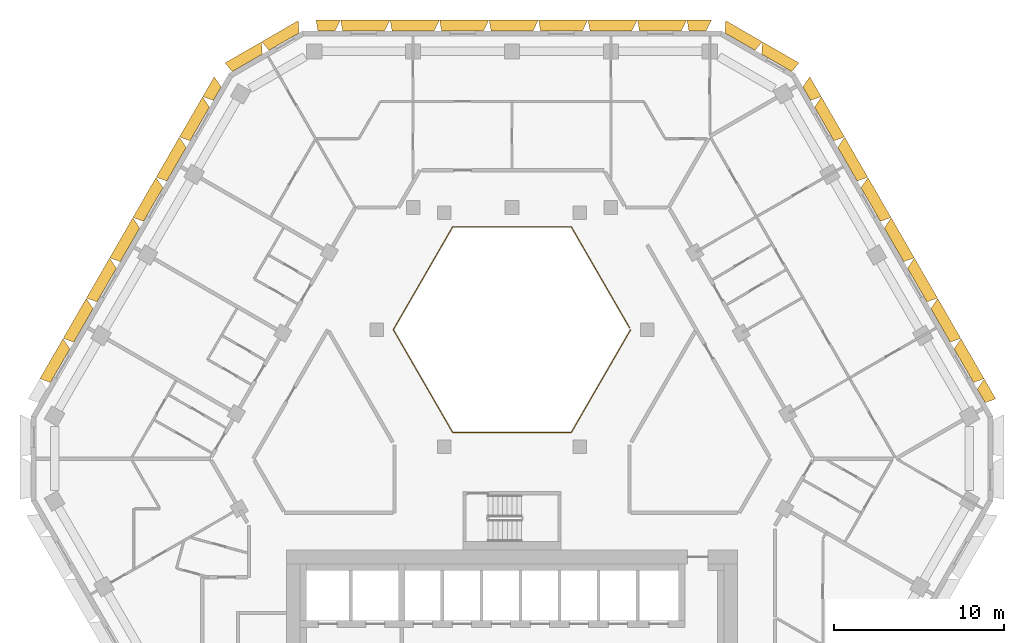
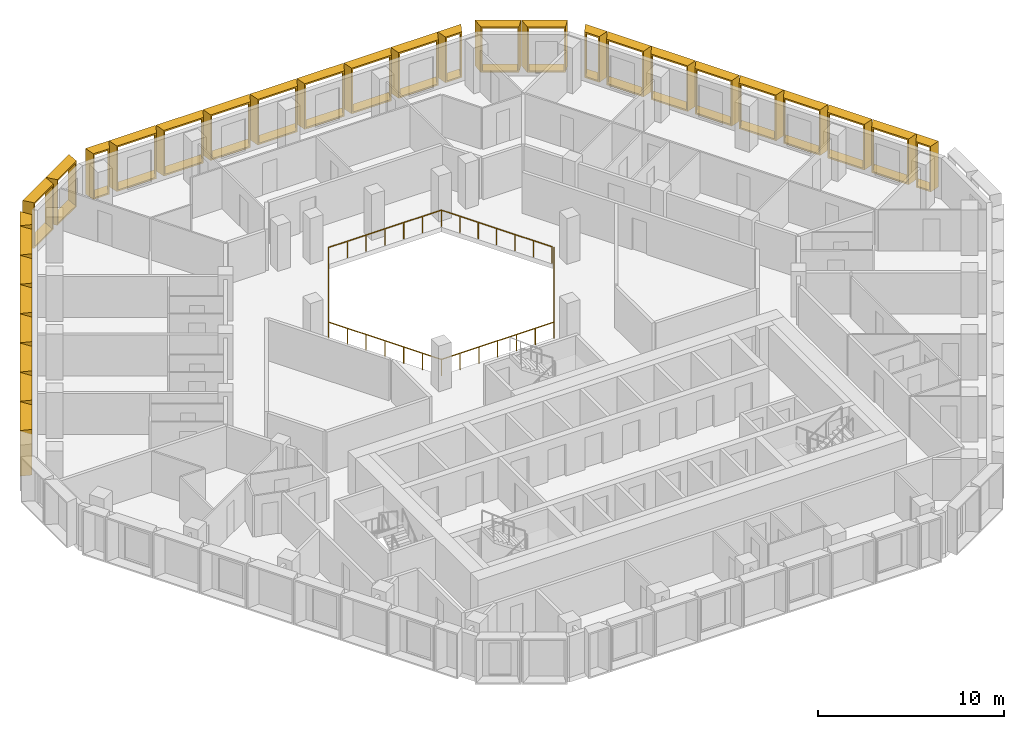
# One storey, part 15 of 15: 30 shading devices, 1 railing.
"""IFC4 building model written with IfcOpenShell, lengths in metres."""

from ifc_helpers import new_model, entity, si_unit, direction, frame, origin, origin_2d, place, context, subcontext, project, spatial, rectangle, extrude, source, transform, mapped, material, type_object, type_shapes, element, save


model = new_model("IFC4")

# Units and contexts
model_context = context("Model", 3, precision=1e-05, world=origin(), true_north=direction((0.0, 1.0)))
body_context = subcontext(model_context, "Body", "Model", "MODEL_VIEW")
ifc_project = project(units=[si_unit("LENGTHUNIT", "METRE"), si_unit("AREAUNIT", "SQUARE_METRE"), si_unit("VOLUMEUNIT", "CUBIC_METRE"), si_unit("PLANEANGLEUNIT", "RADIAN"), si_unit("MASSUNIT", "GRAM", prefix="KILO")], contexts=[model_context])

# Site, building, storey
site_placement = place(None, origin())
site = spatial("IfcSite", under=ifc_project, at=site_placement, CompositionType="ELEMENT")
building_placement = place(site_placement, origin())
building = spatial("IfcBuilding", under=site, at=building_placement, Name="Beryl Residences", CompositionType="ELEMENT")
storey_placement = place(building_placement, frame((0.0, 0.0, 141.60009765625)))
storey = spatial("IfcBuildingStorey", under=building, at=storey_placement, Name="L43", CompositionType="ELEMENT", Elevation=141.60009765625)

# Railing
ifc_material_1 = material(Name="Stainless steel balustrade with glass infill", Category="steel")
railing_type = type_object("IfcRailingType", Name="EG1 edge guard 1100 mm", PredefinedType="GUARDRAIL", material=ifc_material_1)
railing_placement = place(storey_placement, frame((6.9970703125, 8.0, 0.0)))
element("IfcRailing", 1, at=railing_placement, inside=storey, type_object=railing_type, Name="L43 atrium guard", PredefinedType="GUARDRAIL", context=body_context, shape_type="SweptSolid", body=[
    extrude(rectangle(XDim=0.048095703125, YDim=0.048095703125, at=origin_2d()), frame((0.0, 0.0, 1.076171875), z_axis=(-0.499921796684, -0.866070549782, 0.0), x_axis=(0.866070549782, -0.499921796684, 0.0)), (0.0, 0.0, 1.0), 6.9970703125),
    extrude(rectangle(XDim=0.048095703125, YDim=0.048095703125, at=origin_2d()), frame((-3.498046875, -6.06005859375, 1.076171875), z_axis=(-1.0, 0.0, 0.0), x_axis=(0.0, -1.0, 0.0)), (0.0, 0.0, 1.0), 6.998046875),
    extrude(rectangle(XDim=0.048095703125, YDim=0.048095703125, at=origin_2d()), frame((-10.49609375, -6.06005859375, 1.076171875), z_axis=(-0.499921796684, 0.866070549782, 0.0), x_axis=(-0.866070549782, -0.499921796684, 0.0)), (0.0, 0.0, 1.0), 6.9970703125),
    extrude(rectangle(XDim=0.048095703125, YDim=0.048095703125, at=origin_2d()), frame((-13.994140625, 0.0, 1.076171875), z_axis=(0.499921796684, 0.866070549782, 0.0), x_axis=(-0.866070549782, 0.499921796684, 0.0)), (0.0, 0.0, 1.0), 6.9970703125),
    extrude(rectangle(XDim=0.048095703125, YDim=0.048095703125, at=origin_2d()), frame((-10.49609375, 6.06005859375, 1.076171875), z_axis=(1.0, 0.0, 0.0), x_axis=(0.0, 1.0, 0.0)), (0.0, 0.0, 1.0), 6.998046875),
    extrude(rectangle(XDim=0.048095703125, YDim=0.048095703125, at=origin_2d()), frame((-3.498046875, 6.06005859375, 1.076171875), z_axis=(0.499919131929, -0.866072087953, 0.0), x_axis=(0.866072087953, 0.499919131929, 0.0)), (0.0, 0.0, 1.0), 6.877197265625),
    extrude(rectangle(XDim=0.0419921875, YDim=0.0419921875, at=origin_2d()), origin(), (0.0, 0.0, 1.0), 1.052001953125),
    extrude(rectangle(XDim=0.0419921875, YDim=0.0419921875, at=origin_2d()), frame((-0.5830078125, -1.010009765625, 0.0)), (0.0, 0.0, 1.0), 1.052001953125),
    extrude(rectangle(XDim=0.0419921875, YDim=0.0419921875, at=origin_2d()), frame((-1.166015625, -2.02001953125, 0.0)), (0.0, 0.0, 1.0), 1.052001953125),
    extrude(rectangle(XDim=0.0419921875, YDim=0.0419921875, at=origin_2d()), frame((-1.7490234375, -3.030029296875, 0.0)), (0.0, 0.0, 1.0), 1.052001953125),
    extrude(rectangle(XDim=0.0419921875, YDim=0.0419921875, at=origin_2d()), frame((-2.33203125, -4.0400390625, 0.0)), (0.0, 0.0, 1.0), 1.052001953125),
    extrude(rectangle(XDim=0.0419921875, YDim=0.0419921875, at=origin_2d()), frame((-2.9150390625, -5.050048828125, 0.0)), (0.0, 0.0, 1.0), 1.052001953125),
    extrude(rectangle(XDim=0.0419921875, YDim=0.0419921875, at=origin_2d()), frame((-3.498046875, -6.06005859375, 0.0)), (0.0, 0.0, 1.0), 1.052001953125),
    extrude(rectangle(XDim=0.0419921875, YDim=0.0419921875, at=origin_2d()), frame((-4.664306640625, -6.06005859375, 0.0)), (0.0, 0.0, 1.0), 1.052001953125),
    extrude(rectangle(XDim=0.0419921875, YDim=0.0419921875, at=origin_2d()), frame((-5.830810546875, -6.06005859375, 0.0)), (0.0, 0.0, 1.0), 1.052001953125),
    extrude(rectangle(XDim=0.0419921875, YDim=0.0419921875, at=origin_2d()), frame((-6.9970703125, -6.06005859375, 0.0)), (0.0, 0.0, 1.0), 1.052001953125),
    extrude(rectangle(XDim=0.0419921875, YDim=0.0419921875, at=origin_2d()), frame((-8.163330078125, -6.06005859375, 0.0)), (0.0, 0.0, 1.0), 1.052001953125),
    extrude(rectangle(XDim=0.0419921875, YDim=0.0419921875, at=origin_2d()), frame((-9.329833984375, -6.06005859375, 0.0)), (0.0, 0.0, 1.0), 1.052001953125),
    extrude(rectangle(XDim=0.0419921875, YDim=0.0419921875, at=origin_2d()), frame((-10.49609375, -6.06005859375, 0.0)), (0.0, 0.0, 1.0), 1.052001953125),
    extrude(rectangle(XDim=0.0419921875, YDim=0.0419921875, at=origin_2d()), frame((-11.0791015625, -5.050048828125, 0.0)), (0.0, 0.0, 1.0), 1.052001953125),
    extrude(rectangle(XDim=0.0419921875, YDim=0.0419921875, at=origin_2d()), frame((-11.662109375, -4.0400390625, 0.0)), (0.0, 0.0, 1.0), 1.052001953125),
    extrude(rectangle(XDim=0.0419921875, YDim=0.0419921875, at=origin_2d()), frame((-12.2451171875, -3.030029296875, 0.0)), (0.0, 0.0, 1.0), 1.052001953125),
    extrude(rectangle(XDim=0.0419921875, YDim=0.0419921875, at=origin_2d()), frame((-12.828125, -2.02001953125, 0.0)), (0.0, 0.0, 1.0), 1.052001953125),
    extrude(rectangle(XDim=0.0419921875, YDim=0.0419921875, at=origin_2d()), frame((-13.4111328125, -1.010009765625, 0.0)), (0.0, 0.0, 1.0), 1.052001953125),
    extrude(rectangle(XDim=0.0419921875, YDim=0.0419921875, at=origin_2d()), frame((-13.994140625, 0.0, 0.0)), (0.0, 0.0, 1.0), 1.052001953125),
    extrude(rectangle(XDim=0.0419921875, YDim=0.0419921875, at=origin_2d()), frame((-13.4111328125, 1.010009765625, 0.0)), (0.0, 0.0, 1.0), 1.052001953125),
    extrude(rectangle(XDim=0.0419921875, YDim=0.0419921875, at=origin_2d()), frame((-12.828125, 2.02001953125, 0.0)), (0.0, 0.0, 1.0), 1.052001953125),
    extrude(rectangle(XDim=0.0419921875, YDim=0.0419921875, at=origin_2d()), frame((-12.2451171875, 3.030029296875, 0.0)), (0.0, 0.0, 1.0), 1.052001953125),
    extrude(rectangle(XDim=0.0419921875, YDim=0.0419921875, at=origin_2d()), frame((-11.662109375, 4.0400390625, 0.0)), (0.0, 0.0, 1.0), 1.052001953125),
    extrude(rectangle(XDim=0.0419921875, YDim=0.0419921875, at=origin_2d()), frame((-11.0791015625, 5.050048828125, 0.0)), (0.0, 0.0, 1.0), 1.052001953125),
    extrude(rectangle(XDim=0.0419921875, YDim=0.0419921875, at=origin_2d()), frame((-10.49609375, 6.06005859375, 0.0)), (0.0, 0.0, 1.0), 1.052001953125),
    extrude(rectangle(XDim=0.0419921875, YDim=0.0419921875, at=origin_2d()), frame((-9.329833984375, 6.06005859375, 0.0)), (0.0, 0.0, 1.0), 1.052001953125),
    extrude(rectangle(XDim=0.0419921875, YDim=0.0419921875, at=origin_2d()), frame((-8.163330078125, 6.06005859375, 0.0)), (0.0, 0.0, 1.0), 1.052001953125),
    extrude(rectangle(XDim=0.0419921875, YDim=0.0419921875, at=origin_2d()), frame((-6.9970703125, 6.06005859375, 0.0)), (0.0, 0.0, 1.0), 1.052001953125),
    extrude(rectangle(XDim=0.0419921875, YDim=0.0419921875, at=origin_2d()), frame((-5.830810546875, 6.06005859375, 0.0)), (0.0, 0.0, 1.0), 1.052001953125),
    extrude(rectangle(XDim=0.0419921875, YDim=0.0419921875, at=origin_2d()), frame((-4.664306640625, 6.06005859375, 0.0)), (0.0, 0.0, 1.0), 1.052001953125),
    extrude(rectangle(XDim=0.0419921875, YDim=0.0419921875, at=origin_2d()), frame((-3.498046875, 6.06005859375, 0.0)), (0.0, 0.0, 1.0), 1.052001953125),
    extrude(rectangle(XDim=0.0419921875, YDim=0.0419921875, at=origin_2d()), frame((-2.925048828125, 5.0673828125, 0.0)), (0.0, 0.0, 1.0), 1.052001953125),
    extrude(rectangle(XDim=0.0419921875, YDim=0.0419921875, at=origin_2d()), frame((-2.35205078125, 4.07470703125, 0.0)), (0.0, 0.0, 1.0), 1.052001953125),
    extrude(rectangle(XDim=0.0419921875, YDim=0.0419921875, at=origin_2d()), frame((-1.779052734375, 3.08203125, 0.0)), (0.0, 0.0, 1.0), 1.052001953125),
    extrude(rectangle(XDim=0.0419921875, YDim=0.0419921875, at=origin_2d()), frame((-1.2060546875, 2.08935546875, 0.0)), (0.0, 0.0, 1.0), 1.052001953125),
    extrude(rectangle(XDim=0.0419921875, YDim=0.0419921875, at=origin_2d()), frame((-0.633056640625, 1.0966796875, 0.0)), (0.0, 0.0, 1.0), 1.052001953125),
    extrude(rectangle(XDim=0.0419921875, YDim=0.0419921875, at=origin_2d()), frame((-0.06005859375, 0.10400390625, 0.0)), (0.0, 0.0, 1.0), 1.052001953125),
])

# Shading devices
ifc_material_2 = material(Name="Aluminium pale anodised", Category="aluminium")
shading_device_type_1 = type_object("IfcShadingDeviceType", Name="FR137-65B OUTER SKIN frame 650 mm deep, splay 26/10 deg, 1370 x 3000 mm cell", PredefinedType="USERDEFINED", material=ifc_material_2)
cartesian_point_1 = entity("IfcCartesianPoint", [-0.458984375, 0.0])
cartesian_point_2 = entity("IfcCartesianPoint", [-0.369873046875, 0.10009765625])
cartesian_point_3 = entity("IfcCartesianPoint", [-0.776123046875, 0.0])
cartesian_point_4 = entity("IfcCartesianPoint", [-0.68701171875, 0.10009765625])
shared_shape_1 = source(origin(), body_context, "Body", "SweptSolid", [
    entity("IfcExtrudedAreaSolidTapered", entity("IfcArbitraryProfileDefWithVoids", "AREA", None, entity("IfcPolyline", [cartesian_point_1, entity("IfcCartesianPoint", [0.458984375, 0.0]), entity("IfcCartesianPoint", [0.458984375, 3.0]), entity("IfcCartesianPoint", [-0.458984375, 3.0]), cartesian_point_1]), [entity("IfcPolyline", [cartesian_point_2, entity("IfcCartesianPoint", [0.377685546875, 0.10009765625]), entity("IfcCartesianPoint", [0.377685546875, 2.89990234375]), entity("IfcCartesianPoint", [-0.369873046875, 2.89990234375]), cartesian_point_2])]), entity("IfcAxis2Placement3D", entity("IfcCartesianPoint", [0.0, 0.0, 0.0]), entity("IfcDirection", [0.0, 1.0, 0.0]), entity("IfcDirection", [-1.0, 0.0, 0.0])), entity("IfcDirection", [0.0, 0.0, 1.0]), 0.64990234375, entity("IfcArbitraryProfileDefWithVoids", "AREA", None, entity("IfcPolyline", [cartesian_point_3, entity("IfcCartesianPoint", [0.57373046875, 0.0]), entity("IfcCartesianPoint", [0.57373046875, 3.0]), entity("IfcCartesianPoint", [-0.776123046875, 3.0]), cartesian_point_3]), [entity("IfcPolyline", [cartesian_point_4, entity("IfcCartesianPoint", [0.492431640625, 0.10009765625]), entity("IfcCartesianPoint", [0.492431640625, 2.89990234375]), entity("IfcCartesianPoint", [-0.68701171875, 2.89990234375]), cartesian_point_4])])),
])
type_shapes(shading_device_type_1, [shared_shape_1])
shading_device_placement = place(storey_placement, frame((-17.375, 21.906982421875, 0.0), z_axis=(0.0, 0.0, 1.0), x_axis=(0.5, 0.866025403784, 0.0)))
element("IfcShadingDevice", 2, at=shading_device_placement, inside=storey, type_object=shading_device_type_1, Name="FR137-65B frame L43 NW 1", ObjectType="OUTER SKIN", PredefinedType="USERDEFINED", context=body_context, shape_type="MappedRepresentation", body=[
    mapped(shared_shape_1, transform((0.0, 0.0, 0.0))),
])
ifc_material_3 = material(Name="Aluminium pale anodised", Category="aluminium")
shading_device_type_2 = type_object("IfcShadingDeviceType", Name="FR137-65C OUTER SKIN frame 650 mm deep, splay 10/26 deg, 1370 x 3000 mm cell", PredefinedType="USERDEFINED", material=ifc_material_3)
cartesian_point_5 = entity("IfcCartesianPoint", [-0.458984375, 0.0])
cartesian_point_6 = entity("IfcCartesianPoint", [-0.377685546875, 0.10009765625])
cartesian_point_7 = entity("IfcCartesianPoint", [-0.57373046875, 0.0])
cartesian_point_8 = entity("IfcCartesianPoint", [-0.492431640625, 0.10009765625])
shared_shape_2 = source(origin(), body_context, "Body", "SweptSolid", [
    entity("IfcExtrudedAreaSolidTapered", entity("IfcArbitraryProfileDefWithVoids", "AREA", None, entity("IfcPolyline", [cartesian_point_5, entity("IfcCartesianPoint", [0.458984375, 0.0]), entity("IfcCartesianPoint", [0.458984375, 3.0]), entity("IfcCartesianPoint", [-0.458984375, 3.0]), cartesian_point_5]), [entity("IfcPolyline", [cartesian_point_6, entity("IfcCartesianPoint", [0.369873046875, 0.10009765625]), entity("IfcCartesianPoint", [0.369873046875, 2.89990234375]), entity("IfcCartesianPoint", [-0.377685546875, 2.89990234375]), cartesian_point_6])]), entity("IfcAxis2Placement3D", entity("IfcCartesianPoint", [0.0, 0.0, 0.0]), entity("IfcDirection", [0.0, 1.0, 0.0]), entity("IfcDirection", [-1.0, 0.0, 0.0])), entity("IfcDirection", [0.0, 0.0, 1.0]), 0.64990234375, entity("IfcArbitraryProfileDefWithVoids", "AREA", None, entity("IfcPolyline", [cartesian_point_7, entity("IfcCartesianPoint", [0.776123046875, 0.0]), entity("IfcCartesianPoint", [0.776123046875, 3.0]), entity("IfcCartesianPoint", [-0.57373046875, 3.0]), cartesian_point_7]), [entity("IfcPolyline", [cartesian_point_8, entity("IfcCartesianPoint", [0.68701171875, 0.10009765625]), entity("IfcCartesianPoint", [0.68701171875, 2.89990234375]), entity("IfcCartesianPoint", [-0.492431640625, 2.89990234375]), cartesian_point_8])])),
])
type_shapes(shading_device_type_2, [shared_shape_2])
for number, where, z_axis, x_axis, name in (
    (3, (27.658935546875, 4.093017578125, 0.0), (0.0, 0.0, 1.0), (0.5, -0.866025403784, 0.0), "FR137-65C frame L43 NE 1"),
    (4, (17.375, 21.906982421875, 0.0), (0.0, 0.0, 1.0), (0.5, -0.866025403784, 0.0), "FR137-65C frame L43 NE 9"),
):
    element("IfcShadingDevice", number, at=place(storey_placement, frame(where, z_axis=z_axis, x_axis=x_axis)), inside=storey, type_object=shading_device_type_2, Name=name, ObjectType="OUTER SKIN", PredefinedType="USERDEFINED", context=body_context, shape_type="MappedRepresentation", body=[
        mapped(shared_shape_2, transform((0.0, 0.0, 0.0))),
    ])
ifc_material_4 = material(Name="Aluminium pale anodised", Category="aluminium")
shading_device_type_3 = type_object("IfcShadingDeviceType", Name="FR146-65B OUTER SKIN frame 650 mm deep, splay 26/10 deg, 1460 x 3000 mm cell", PredefinedType="USERDEFINED", material=ifc_material_4)
cartesian_point_9 = entity("IfcCartesianPoint", [-0.50390625, 0.0])
cartesian_point_10 = entity("IfcCartesianPoint", [-0.4150390625, 0.10009765625])
cartesian_point_11 = entity("IfcCartesianPoint", [-0.821044921875, 0.0])
cartesian_point_12 = entity("IfcCartesianPoint", [-0.73193359375, 0.10009765625])
shared_shape_3 = source(origin(), body_context, "Body", "SweptSolid", [
    entity("IfcExtrudedAreaSolidTapered", entity("IfcArbitraryProfileDefWithVoids", "AREA", None, entity("IfcPolyline", [cartesian_point_9, entity("IfcCartesianPoint", [0.50390625, 0.0]), entity("IfcCartesianPoint", [0.50390625, 3.0]), entity("IfcCartesianPoint", [-0.50390625, 3.0]), cartesian_point_9]), [entity("IfcPolyline", [cartesian_point_10, entity("IfcCartesianPoint", [0.4228515625, 0.10009765625]), entity("IfcCartesianPoint", [0.4228515625, 2.89990234375]), entity("IfcCartesianPoint", [-0.4150390625, 2.89990234375]), cartesian_point_10])]), entity("IfcAxis2Placement3D", entity("IfcCartesianPoint", [0.0, 0.0, 0.0]), entity("IfcDirection", [0.0, 1.0, 0.0]), entity("IfcDirection", [-1.0, 0.0, 0.0])), entity("IfcDirection", [0.0, 0.0, 1.0]), 0.64990234375, entity("IfcArbitraryProfileDefWithVoids", "AREA", None, entity("IfcPolyline", [cartesian_point_11, entity("IfcCartesianPoint", [0.61865234375, 0.0]), entity("IfcCartesianPoint", [0.61865234375, 3.0]), entity("IfcCartesianPoint", [-0.821044921875, 3.0]), cartesian_point_11]), [entity("IfcPolyline", [cartesian_point_12, entity("IfcCartesianPoint", [0.537353515625, 0.10009765625]), entity("IfcCartesianPoint", [0.537353515625, 2.89990234375]), entity("IfcCartesianPoint", [-0.73193359375, 2.89990234375]), cartesian_point_12])])),
])
type_shapes(shading_device_type_3, [shared_shape_3])
for number, where, z_axis, x_axis, name in (
    (5, (10.93310546875, 25.60009765625, 0.0), (0.0, 0.0, 1.0), (1.0, 0.0, 0.0), "FR146-65B frame L43 N 1"),
    (6, (-10.93310546875, 25.60009765625, 0.0), (0.0, 0.0, 1.0), (1.0, 0.0, 0.0), "FR146-65B frame L43 N 9"),
):
    element("IfcShadingDevice", number, at=place(storey_placement, frame(where, z_axis=z_axis, x_axis=x_axis)), inside=storey, type_object=shading_device_type_3, Name=name, ObjectType="OUTER SKIN", PredefinedType="USERDEFINED", context=body_context, shape_type="MappedRepresentation", body=[
        mapped(shared_shape_3, transform((0.0, 0.0, 0.0))),
    ])
ifc_material_5 = material(Name="Aluminium pale anodised", Category="aluminium")
shading_device_type_4 = type_object("IfcShadingDeviceType", Name="FR250-65B OUTER SKIN frame 650 mm deep, splay 26/10 deg, 2500 x 3000 mm cell", PredefinedType="USERDEFINED", material=ifc_material_5)
cartesian_point_13 = entity("IfcCartesianPoint", [-1.02392578125, 0.0])
cartesian_point_14 = entity("IfcCartesianPoint", [-0.93505859375, 0.10009765625])
cartesian_point_15 = entity("IfcCartesianPoint", [-1.341064453125, 0.0])
cartesian_point_16 = entity("IfcCartesianPoint", [-1.251953125, 0.10009765625])
shared_shape_4 = source(origin(), body_context, "Body", "SweptSolid", [
    entity("IfcExtrudedAreaSolidTapered", entity("IfcArbitraryProfileDefWithVoids", "AREA", None, entity("IfcPolyline", [cartesian_point_13, entity("IfcCartesianPoint", [1.02392578125, 0.0]), entity("IfcCartesianPoint", [1.02392578125, 3.0]), entity("IfcCartesianPoint", [-1.02392578125, 3.0]), cartesian_point_13]), [entity("IfcPolyline", [cartesian_point_14, entity("IfcCartesianPoint", [0.94287109375, 0.10009765625]), entity("IfcCartesianPoint", [0.94287109375, 2.89990234375]), entity("IfcCartesianPoint", [-0.93505859375, 2.89990234375]), cartesian_point_14])]), entity("IfcAxis2Placement3D", entity("IfcCartesianPoint", [0.0, 0.0, 0.0]), entity("IfcDirection", [0.0, 1.0, 0.0]), entity("IfcDirection", [-1.0, 0.0, 0.0])), entity("IfcDirection", [0.0, 0.0, 1.0]), 0.64990234375, entity("IfcArbitraryProfileDefWithVoids", "AREA", None, entity("IfcPolyline", [cartesian_point_15, entity("IfcCartesianPoint", [1.138671875, 0.0]), entity("IfcCartesianPoint", [1.138671875, 3.0]), entity("IfcCartesianPoint", [-1.341064453125, 3.0]), cartesian_point_15]), [entity("IfcPolyline", [cartesian_point_16, entity("IfcCartesianPoint", [1.057373046875, 0.10009765625]), entity("IfcCartesianPoint", [1.057373046875, 2.89990234375]), entity("IfcCartesianPoint", [-1.251953125, 2.89990234375]), cartesian_point_16])])),
])
type_shapes(shading_device_type_4, [shared_shape_4])
for number, where, z_axis, x_axis, name in (
    (7, (-13.43798828125, 24.97509765625, 0.0), (0.0, 0.0, 1.0), (0.866025403784, 0.5, 0.0), "FR250-65B frame L43 N-NW 1"),
    (8, (-15.60205078125, 23.72509765625, 0.0), (0.0, 0.0, 1.0), (0.866025403784, 0.5, 0.0), "FR250-65B frame L43 N-NW 2"),
):
    element("IfcShadingDevice", number, at=place(storey_placement, frame(where, z_axis=z_axis, x_axis=x_axis)), inside=storey, type_object=shading_device_type_4, Name=name, ObjectType="OUTER SKIN", PredefinedType="USERDEFINED", context=body_context, shape_type="MappedRepresentation", body=[
        mapped(shared_shape_4, transform((0.0, 0.0, 0.0))),
    ])
ifc_material_6 = material(Name="Aluminium pale anodised", Category="aluminium")
shading_device_type_5 = type_object("IfcShadingDeviceType", Name="FR250-65C OUTER SKIN frame 650 mm deep, splay 10/26 deg, 2500 x 3000 mm cell", PredefinedType="USERDEFINED", material=ifc_material_6)
cartesian_point_17 = entity("IfcCartesianPoint", [-1.02392578125, 0.0])
cartesian_point_18 = entity("IfcCartesianPoint", [-0.94287109375, 0.10009765625])
cartesian_point_19 = entity("IfcCartesianPoint", [-1.138671875, 0.0])
cartesian_point_20 = entity("IfcCartesianPoint", [-1.057373046875, 0.10009765625])
shared_shape_5 = source(origin(), body_context, "Body", "SweptSolid", [
    entity("IfcExtrudedAreaSolidTapered", entity("IfcArbitraryProfileDefWithVoids", "AREA", None, entity("IfcPolyline", [cartesian_point_17, entity("IfcCartesianPoint", [1.02392578125, 0.0]), entity("IfcCartesianPoint", [1.02392578125, 3.0]), entity("IfcCartesianPoint", [-1.02392578125, 3.0]), cartesian_point_17]), [entity("IfcPolyline", [cartesian_point_18, entity("IfcCartesianPoint", [0.93505859375, 0.10009765625]), entity("IfcCartesianPoint", [0.93505859375, 2.89990234375]), entity("IfcCartesianPoint", [-0.94287109375, 2.89990234375]), cartesian_point_18])]), entity("IfcAxis2Placement3D", entity("IfcCartesianPoint", [0.0, 0.0, 0.0]), entity("IfcDirection", [0.0, 1.0, 0.0]), entity("IfcDirection", [-1.0, 0.0, 0.0])), entity("IfcDirection", [0.0, 0.0, 1.0]), 0.64990234375, entity("IfcArbitraryProfileDefWithVoids", "AREA", None, entity("IfcPolyline", [cartesian_point_19, entity("IfcCartesianPoint", [1.341064453125, 0.0]), entity("IfcCartesianPoint", [1.341064453125, 3.0]), entity("IfcCartesianPoint", [-1.138671875, 3.0]), cartesian_point_19]), [entity("IfcPolyline", [cartesian_point_20, entity("IfcCartesianPoint", [1.251953125, 0.10009765625]), entity("IfcCartesianPoint", [1.251953125, 2.89990234375]), entity("IfcCartesianPoint", [-1.057373046875, 2.89990234375]), cartesian_point_20])])),
])
type_shapes(shading_device_type_5, [shared_shape_5])
for number, where, z_axis, x_axis, name in (
    (9, (15.60205078125, 23.72509765625, 0.0), (0.0, 0.0, 1.0), (0.866025403784, -0.5, 0.0), "FR250-65C frame L43 NE-N 1"),
    (10, (13.43798828125, 24.97509765625, 0.0), (0.0, 0.0, 1.0), (0.866025403784, -0.5, 0.0), "FR250-65C frame L43 NE-N 2"),
):
    element("IfcShadingDevice", number, at=place(storey_placement, frame(where, z_axis=z_axis, x_axis=x_axis)), inside=storey, type_object=shading_device_type_5, Name=name, ObjectType="OUTER SKIN", PredefinedType="USERDEFINED", context=body_context, shape_type="MappedRepresentation", body=[
        mapped(shared_shape_5, transform((0.0, 0.0, 0.0))),
    ])
ifc_material_7 = material(Name="Aluminium pale anodised", Category="aluminium")
shading_device_type_6 = type_object("IfcShadingDeviceType", Name="FR274-65B OUTER SKIN frame 650 mm deep, splay 26/10 deg, 2740 x 3000 mm cell", PredefinedType="USERDEFINED", material=ifc_material_7)
cartesian_point_21 = entity("IfcCartesianPoint", [-1.14404296875, 0.0])
cartesian_point_22 = entity("IfcCartesianPoint", [-1.054931640625, 0.10009765625])
cartesian_point_23 = entity("IfcCartesianPoint", [-1.4609375, 0.0])
cartesian_point_24 = entity("IfcCartesianPoint", [-1.3720703125, 0.10009765625])
shared_shape_6 = source(origin(), body_context, "Body", "SweptSolid", [
    entity("IfcExtrudedAreaSolidTapered", entity("IfcArbitraryProfileDefWithVoids", "AREA", None, entity("IfcPolyline", [cartesian_point_21, entity("IfcCartesianPoint", [1.14404296875, 0.0]), entity("IfcCartesianPoint", [1.14404296875, 3.0]), entity("IfcCartesianPoint", [-1.14404296875, 3.0]), cartesian_point_21]), [entity("IfcPolyline", [cartesian_point_22, entity("IfcCartesianPoint", [1.062744140625, 0.10009765625]), entity("IfcCartesianPoint", [1.062744140625, 2.89990234375]), entity("IfcCartesianPoint", [-1.054931640625, 2.89990234375]), cartesian_point_22])]), entity("IfcAxis2Placement3D", entity("IfcCartesianPoint", [0.0, 0.0, 0.0]), entity("IfcDirection", [0.0, 1.0, 0.0]), entity("IfcDirection", [-1.0, 0.0, 0.0])), entity("IfcDirection", [0.0, 0.0, 1.0]), 0.64990234375, entity("IfcArbitraryProfileDefWithVoids", "AREA", None, entity("IfcPolyline", [cartesian_point_23, entity("IfcCartesianPoint", [1.258544921875, 0.0]), entity("IfcCartesianPoint", [1.258544921875, 3.0]), entity("IfcCartesianPoint", [-1.4609375, 3.0]), cartesian_point_23]), [entity("IfcPolyline", [cartesian_point_24, entity("IfcCartesianPoint", [1.177490234375, 0.10009765625]), entity("IfcCartesianPoint", [1.177490234375, 2.89990234375]), entity("IfcCartesianPoint", [-1.3720703125, 2.89990234375]), cartesian_point_24])])),
])
type_shapes(shading_device_type_6, [shared_shape_6])
for number, where, z_axis, x_axis, name in (
    (11, (-18.403076171875, 20.125, 0.0), (0.0, 0.0, 1.0), (0.5, 0.866025403784, 0.0), "FR274-65B frame L43 NW 2"),
    (12, (-19.77490234375, 17.75, 0.0), (0.0, 0.0, 1.0), (0.5, 0.866025403784, 0.0), "FR274-65B frame L43 NW 3"),
    (13, (-21.14599609375, 15.375, 0.0), (0.0, 0.0, 1.0), (0.5, 0.866025403784, 0.0), "FR274-65B frame L43 NW 4"),
    (14, (-22.51708984375, 13.0, 0.0), (0.0, 0.0, 1.0), (0.5, 0.866025403784, 0.0), "FR274-65B frame L43 NW 5"),
    (15, (-23.887939453125, 10.625, 0.0), (0.0, 0.0, 1.0), (0.5, 0.866025403784, 0.0), "FR274-65B frame L43 NW 6"),
    (16, (-25.259033203125, 8.25, 0.0), (0.0, 0.0, 1.0), (0.5, 0.866025403784, 0.0), "FR274-65B frame L43 NW 7"),
    (17, (-26.631103515625, 5.875, 0.0), (0.0, 0.0, 1.0), (0.5, 0.866025403784, 0.0), "FR274-65B frame L43 NW 8"),
):
    element("IfcShadingDevice", number, at=place(storey_placement, frame(where, z_axis=z_axis, x_axis=x_axis)), inside=storey, type_object=shading_device_type_6, Name=name, ObjectType="OUTER SKIN", PredefinedType="USERDEFINED", context=body_context, shape_type="MappedRepresentation", body=[
        mapped(shared_shape_6, transform((0.0, 0.0, 0.0))),
    ])
ifc_material_8 = material(Name="Aluminium pale anodised", Category="aluminium")
shading_device_type_7 = type_object("IfcShadingDeviceType", Name="FR274-65C OUTER SKIN frame 650 mm deep, splay 10/26 deg, 2740 x 3000 mm cell", PredefinedType="USERDEFINED", material=ifc_material_8)
cartesian_point_25 = entity("IfcCartesianPoint", [-1.14404296875, 0.0])
cartesian_point_26 = entity("IfcCartesianPoint", [-1.062744140625, 0.10009765625])
cartesian_point_27 = entity("IfcCartesianPoint", [-1.258544921875, 0.0])
cartesian_point_28 = entity("IfcCartesianPoint", [-1.177490234375, 0.10009765625])
shared_shape_7 = source(origin(), body_context, "Body", "SweptSolid", [
    entity("IfcExtrudedAreaSolidTapered", entity("IfcArbitraryProfileDefWithVoids", "AREA", None, entity("IfcPolyline", [cartesian_point_25, entity("IfcCartesianPoint", [1.14404296875, 0.0]), entity("IfcCartesianPoint", [1.14404296875, 3.0]), entity("IfcCartesianPoint", [-1.14404296875, 3.0]), cartesian_point_25]), [entity("IfcPolyline", [cartesian_point_26, entity("IfcCartesianPoint", [1.054931640625, 0.10009765625]), entity("IfcCartesianPoint", [1.054931640625, 2.89990234375]), entity("IfcCartesianPoint", [-1.062744140625, 2.89990234375]), cartesian_point_26])]), entity("IfcAxis2Placement3D", entity("IfcCartesianPoint", [0.0, 0.0, 0.0]), entity("IfcDirection", [0.0, 1.0, 0.0]), entity("IfcDirection", [-1.0, 0.0, 0.0])), entity("IfcDirection", [0.0, 0.0, 1.0]), 0.64990234375, entity("IfcArbitraryProfileDefWithVoids", "AREA", None, entity("IfcPolyline", [cartesian_point_27, entity("IfcCartesianPoint", [1.4609375, 0.0]), entity("IfcCartesianPoint", [1.4609375, 3.0]), entity("IfcCartesianPoint", [-1.258544921875, 3.0]), cartesian_point_27]), [entity("IfcPolyline", [cartesian_point_28, entity("IfcCartesianPoint", [1.3720703125, 0.10009765625]), entity("IfcCartesianPoint", [1.3720703125, 2.89990234375]), entity("IfcCartesianPoint", [-1.177490234375, 2.89990234375]), cartesian_point_28])])),
])
type_shapes(shading_device_type_7, [shared_shape_7])
for number, where, z_axis, x_axis, name in (
    (18, (26.631103515625, 5.875, 0.0), (0.0, 0.0, 1.0), (0.5, -0.866025403784, 0.0), "FR274-65C frame L43 NE 2"),
    (19, (25.259033203125, 8.25, 0.0), (0.0, 0.0, 1.0), (0.5, -0.866025403784, 0.0), "FR274-65C frame L43 NE 3"),
    (20, (23.887939453125, 10.625, 0.0), (0.0, 0.0, 1.0), (0.5, -0.866025403784, 0.0), "FR274-65C frame L43 NE 4"),
    (21, (22.51708984375, 13.0, 0.0), (0.0, 0.0, 1.0), (0.5, -0.866025403784, 0.0), "FR274-65C frame L43 NE 5"),
    (22, (21.14599609375, 15.375, 0.0), (0.0, 0.0, 1.0), (0.5, -0.866025403784, 0.0), "FR274-65C frame L43 NE 6"),
    (23, (19.77490234375, 17.75, 0.0), (0.0, 0.0, 1.0), (0.5, -0.866025403784, 0.0), "FR274-65C frame L43 NE 7"),
    (24, (18.403076171875, 20.125, 0.0), (0.0, 0.0, 1.0), (0.5, -0.866025403784, 0.0), "FR274-65C frame L43 NE 8"),
):
    element("IfcShadingDevice", number, at=place(storey_placement, frame(where, z_axis=z_axis, x_axis=x_axis)), inside=storey, type_object=shading_device_type_7, Name=name, ObjectType="OUTER SKIN", PredefinedType="USERDEFINED", context=body_context, shape_type="MappedRepresentation", body=[
        mapped(shared_shape_7, transform((0.0, 0.0, 0.0))),
    ])
ifc_material_9 = material(Name="Aluminium pale anodised", Category="aluminium")
shading_device_type_8 = type_object("IfcShadingDeviceType", Name="FR292-65B OUTER SKIN frame 650 mm deep, splay 26/10 deg, 2920 x 3000 mm cell", PredefinedType="USERDEFINED", material=ifc_material_9)
cartesian_point_29 = entity("IfcCartesianPoint", [-1.23388671875, 0.0])
cartesian_point_30 = entity("IfcCartesianPoint", [-1.14501953125, 0.10009765625])
cartesian_point_31 = entity("IfcCartesianPoint", [-1.551025390625, 0.0])
cartesian_point_32 = entity("IfcCartesianPoint", [-1.4619140625, 0.10009765625])
shared_shape_8 = source(origin(), body_context, "Body", "SweptSolid", [
    entity("IfcExtrudedAreaSolidTapered", entity("IfcArbitraryProfileDefWithVoids", "AREA", None, entity("IfcPolyline", [cartesian_point_29, entity("IfcCartesianPoint", [1.23388671875, 0.0]), entity("IfcCartesianPoint", [1.23388671875, 3.0]), entity("IfcCartesianPoint", [-1.23388671875, 3.0]), cartesian_point_29]), [entity("IfcPolyline", [cartesian_point_30, entity("IfcCartesianPoint", [1.15283203125, 0.10009765625]), entity("IfcCartesianPoint", [1.15283203125, 2.89990234375]), entity("IfcCartesianPoint", [-1.14501953125, 2.89990234375]), cartesian_point_30])]), entity("IfcAxis2Placement3D", entity("IfcCartesianPoint", [0.0, 0.0, 0.0]), entity("IfcDirection", [0.0, 1.0, 0.0]), entity("IfcDirection", [-1.0, 0.0, 0.0])), entity("IfcDirection", [0.0, 0.0, 1.0]), 0.64990234375, entity("IfcArbitraryProfileDefWithVoids", "AREA", None, entity("IfcPolyline", [cartesian_point_31, entity("IfcCartesianPoint", [1.3486328125, 0.0]), entity("IfcCartesianPoint", [1.3486328125, 3.0]), entity("IfcCartesianPoint", [-1.551025390625, 3.0]), cartesian_point_31]), [entity("IfcPolyline", [cartesian_point_32, entity("IfcCartesianPoint", [1.267333984375, 0.10009765625]), entity("IfcCartesianPoint", [1.267333984375, 2.89990234375]), entity("IfcCartesianPoint", [-1.4619140625, 2.89990234375]), cartesian_point_32])])),
])
type_shapes(shading_device_type_8, [shared_shape_8])
for number, where, z_axis, x_axis, name in (
    (25, (8.7470703125, 25.60009765625, 0.0), (0.0, 0.0, 1.0), (1.0, 0.0, 0.0), "FR292-65B frame L43 N 2"),
    (26, (5.8310546875, 25.60009765625, 0.0), (0.0, 0.0, 1.0), (1.0, 0.0, 0.0), "FR292-65B frame L43 N 3"),
    (27, (2.916015625, 25.60009765625, 0.0), (0.0, 0.0, 1.0), (1.0, 0.0, 0.0), "FR292-65B frame L43 N 4"),
    (28, (0.0, 25.60009765625, 0.0), (0.0, 0.0, 1.0), (1.0, 0.0, 0.0), "FR292-65B frame L43 N 5"),
    (29, (-2.916015625, 25.60009765625, 0.0), (0.0, 0.0, 1.0), (1.0, 0.0, 0.0), "FR292-65B frame L43 N 6"),
    (30, (-5.8310546875, 25.60009765625, 0.0), (0.0, 0.0, 1.0), (1.0, 0.0, 0.0), "FR292-65B frame L43 N 7"),
    (31, (-8.7470703125, 25.60009765625, 0.0), (0.0, 0.0, 1.0), (1.0, 0.0, 0.0), "FR292-65B frame L43 N 8"),
):
    element("IfcShadingDevice", number, at=place(storey_placement, frame(where, z_axis=z_axis, x_axis=x_axis)), inside=storey, type_object=shading_device_type_8, Name=name, ObjectType="OUTER SKIN", PredefinedType="USERDEFINED", context=body_context, shape_type="MappedRepresentation", body=[
        mapped(shared_shape_8, transform((0.0, 0.0, 0.0))),
    ])

save(model, "model.ifc")
